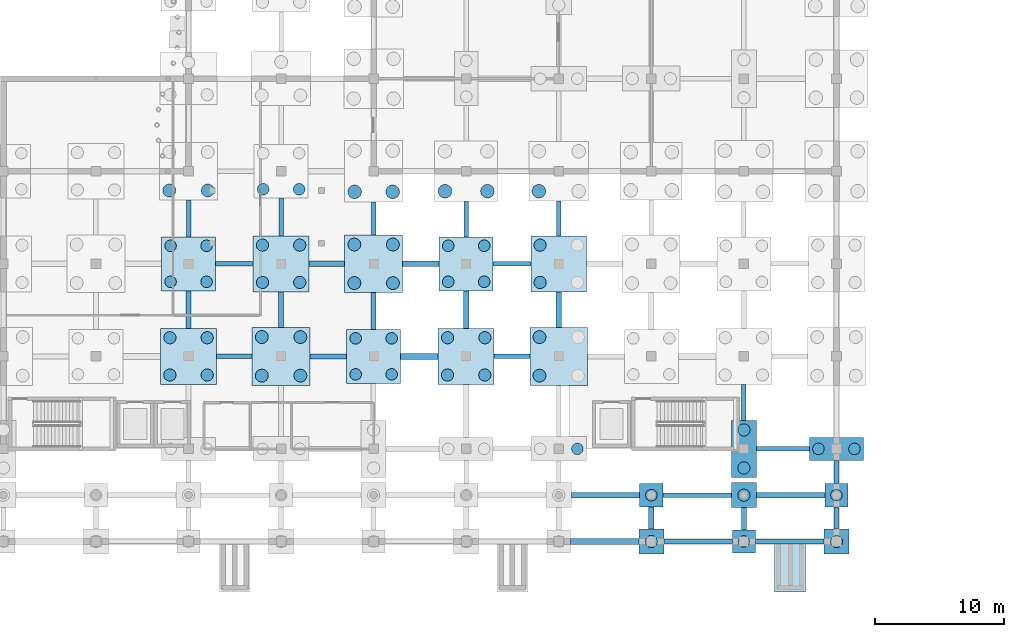
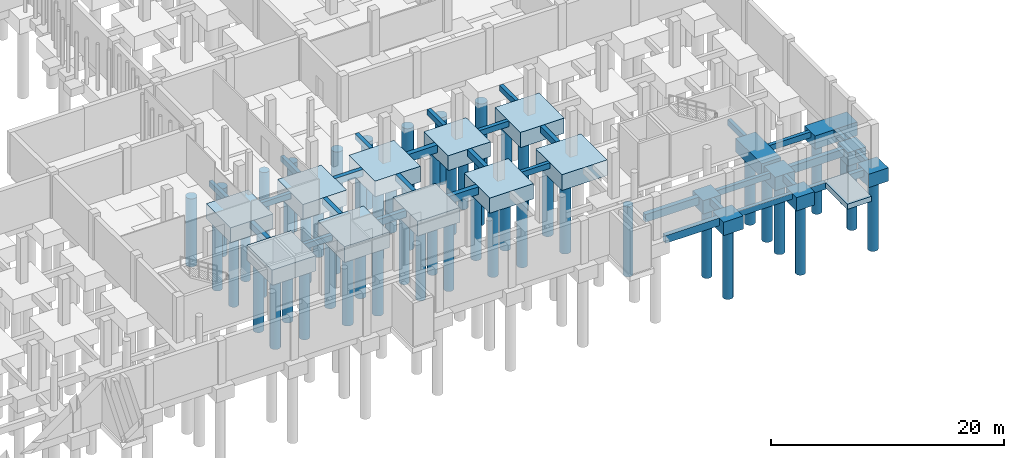
# One storey, part 6 of 35: 56 piles, 49 footings.
"""IFC4 building model written with IfcOpenShell, lengths in metres."""

from ifc_helpers import new_model, si_unit, direction, frame, origin, origin_2d, place, context, subcontext, project, spatial, rectangle, circle, extrude, material, material_profile, profile_set, type_object, element, save


model = new_model("IFC4")

# Units and contexts
model_context = context("Model", 3, precision=1e-05, world=origin(), true_north=direction((0.0, 1.0)))
body_context = subcontext(model_context, "Body", "Model", "MODEL_VIEW")
ifc_project = project(units=[si_unit("LENGTHUNIT", "METRE"), si_unit("AREAUNIT", "SQUARE_METRE"), si_unit("VOLUMEUNIT", "CUBIC_METRE"), si_unit("PLANEANGLEUNIT", "RADIAN"), si_unit("MASSUNIT", "GRAM", prefix="KILO"), si_unit("THERMODYNAMICTEMPERATUREUNIT", "KELVIN"), si_unit("POWERUNIT", "WATT")], contexts=[model_context])

# Site, building, storey
site_placement = place(None, origin())
site = spatial("IfcSite", under=ifc_project, at=site_placement, CompositionType="ELEMENT")
building_placement = place(site_placement, origin())
building = spatial("IfcBuilding", under=site, at=building_placement, Name="Kaldorven Railside Theatre", CompositionType="ELEMENT")
storey_placement = place(building_placement, frame((0.0, 0.0, -4.800048828125)))
storey = spatial("IfcBuildingStorey", under=building, at=storey_placement, Name="B1", CompositionType="ELEMENT", Elevation=-4.800048828125)

# Footings
ifc_material_1 = material(Name="Concrete C40/50", Category="concrete")
ifc_material_profile_1 = material_profile(ifc_material_1, rectangle(XDim=0.449951171875, YDim=0.800048828125, at=origin_2d()), Name="RC 450x800")
ifc_profile_set_1 = profile_set([ifc_material_profile_1], Name="Concrete C40/50")
footing_type_1 = type_object("IfcFootingType", Name="FTG-GB01", PredefinedType="FOOTING_BEAM", material=ifc_profile_set_1)
for number, where, z_axis, x_axis, name in (
    (1, (102.5, 12.0, -0.39990234375), (1.0, 0.0, 0.0), (0.0, 1.0, 0.0), "Foundation Tie Beam GB-027"),
    (2, (102.574951171875, 15.60009765625, -0.39990234375), (1.0, 0.0, 0.0), (0.0, 1.0, 0.0), "Foundation Tie Beam GB-054"),
    (3, (116.97509765625, 15.60009765625, -0.39990234375), (1.0, 0.0, 0.0), (0.0, 1.0, 0.0), "Foundation Tie Beam GB-057"),
):
    element("IfcFooting", number, at=place(storey_placement, frame(where, z_axis=z_axis, x_axis=x_axis)), inside=storey, type_object=footing_type_1, Name=name, PredefinedType="FOOTING_BEAM", context=body_context, shape_type="SweptSolid", body=[
        extrude(rectangle(XDim=0.449951171875, YDim=0.800048828125, at=origin_2d()), origin(), (0.0, 0.0, 1.0), 5.324951171875),
    ])
footing_1_placement = place(storey_placement, frame((89.300048828125, 26.39990234375, -0.39990234375), z_axis=(1.0, 0.0, 0.0), x_axis=(0.0, 1.0, 0.0)))
element("IfcFooting", 4, at=footing_1_placement, inside=storey, type_object=footing_type_1, Name="Foundation Tie Beam GB-105", PredefinedType="FOOTING_BEAM", context=body_context, shape_type="SweptSolid", body=[
    extrude(rectangle(XDim=0.449951171875, YDim=0.800048828125, at=origin_2d()), origin(), (0.0, 0.0, 1.0), 2.925048828125),
])
footing_2_placement = place(storey_placement, frame((89.449951171875, 33.60009765625, -0.39990234375), z_axis=(1.0, 0.0, 0.0), x_axis=(0.0, 1.0, 0.0)))
element("IfcFooting", 5, at=footing_2_placement, inside=storey, type_object=footing_type_1, Name="Foundation Tie Beam GB-138", PredefinedType="FOOTING_BEAM", context=body_context, shape_type="SweptSolid", body=[
    extrude(rectangle(XDim=0.449951171875, YDim=0.800048828125, at=origin_2d()), origin(), (0.0, 0.0, 1.0), 2.85009765625),
])
ifc_material_profile_2 = material_profile(ifc_material_1, rectangle(XDim=0.39990234375, YDim=0.699951171875, at=origin_2d()), Name="RC 400x700")
ifc_profile_set_2 = profile_set([ifc_material_profile_2], Name="Concrete C40/50")
footing_type_2 = type_object("IfcFootingType", Name="FTG-GB02", PredefinedType="FOOTING_BEAM", material=ifc_profile_set_2)
footing_3_placement = place(storey_placement, frame((108.800048828125, 12.97509765625, -0.349853515625), z_axis=(0.0, 1.0, 0.0), x_axis=(-1.0, 0.0, 0.0)))
element("IfcFooting", 6, at=footing_3_placement, inside=storey, type_object=footing_type_2, Name="Foundation Tie Beam GB-030", PredefinedType="FOOTING_BEAM", context=body_context, shape_type="SweptSolid", body=[
    extrude(rectangle(XDim=0.39990234375, YDim=0.699951171875, at=origin_2d()), origin(), (0.0, 0.0, 1.0), 1.724853515625),
])
footing_4_placement = place(storey_placement, frame((116.89990234375, 12.0, -0.349853515625), z_axis=(1.0, 0.0, 0.0), x_axis=(0.0, 1.0, 0.0)))
element("IfcFooting", 7, at=footing_4_placement, inside=storey, type_object=footing_type_2, Name="Foundation Tie Beam GB-031", PredefinedType="FOOTING_BEAM", context=body_context, shape_type="SweptSolid", body=[
    extrude(rectangle(XDim=0.39990234375, YDim=0.699951171875, at=origin_2d()), origin(), (0.0, 0.0, 1.0), 5.3251953125),
])
footing_5_placement = place(storey_placement, frame((116.0, 12.89990234375, -0.349853515625), z_axis=(0.0, 1.0, 0.0), x_axis=(-1.0, 0.0, 0.0)))
element("IfcFooting", 8, at=footing_5_placement, inside=storey, type_object=footing_type_2, Name="Foundation Tie Beam GB-032", PredefinedType="FOOTING_BEAM", context=body_context, shape_type="SweptSolid", body=[
    extrude(rectangle(XDim=0.39990234375, YDim=0.699951171875, at=origin_2d()), origin(), (0.0, 0.0, 1.0), 1.72509765625),
])
footing_6_placement = place(storey_placement, frame((123.199951171875, 16.5, -0.349853515625), z_axis=(0.0, 1.0, 0.0), x_axis=(-1.0, 0.0, 0.0)))
element("IfcFooting", 9, at=footing_6_placement, inside=storey, type_object=footing_type_2, Name="Foundation Tie Beam GB-058", PredefinedType="FOOTING_BEAM", context=body_context, shape_type="SweptSolid", body=[
    extrude(rectangle(XDim=0.39990234375, YDim=0.699951171875, at=origin_2d()), origin(), (0.0, 0.0, 1.0), 1.800048828125),
])
footing_7_placement = place(storey_placement, frame((72.800048828125, 28.574951171875, -0.349853515625), z_axis=(0.0, 1.0, 0.0), x_axis=(-1.0, 0.0, 0.0)))
element("IfcFooting", 10, at=footing_7_placement, inside=storey, type_object=footing_type_2, Name="Foundation Tie Beam GB-102", PredefinedType="FOOTING_BEAM", context=body_context, shape_type="SweptSolid", body=[
    extrude(rectangle(XDim=0.39990234375, YDim=0.699951171875, at=origin_2d()), origin(), (0.0, 0.0, 1.0), 2.925048828125),
])
footing_8_placement = place(storey_placement, frame((82.25, 26.39990234375, -0.349853515625), z_axis=(1.0, 0.0, 0.0), x_axis=(0.0, 1.0, 0.0)))
element("IfcFooting", 11, at=footing_8_placement, inside=storey, type_object=footing_type_2, Name="Foundation Tie Beam GB-103", PredefinedType="FOOTING_BEAM", context=body_context, shape_type="SweptSolid", body=[
    extrude(rectangle(XDim=0.39990234375, YDim=0.699951171875, at=origin_2d()), origin(), (0.0, 0.0, 1.0), 2.85009765625),
])
footing_9_placement = place(storey_placement, frame((80.0, 28.64990234375, -0.349853515625), z_axis=(0.0, 1.0, 0.0), x_axis=(-1.0, 0.0, 0.0)))
element("IfcFooting", 12, at=footing_9_placement, inside=storey, type_object=footing_type_2, Name="Foundation Tie Beam GB-104", PredefinedType="FOOTING_BEAM", context=body_context, shape_type="SweptSolid", body=[
    extrude(rectangle(XDim=0.39990234375, YDim=0.699951171875, at=origin_2d()), origin(), (0.0, 0.0, 1.0), 2.775146484375),
])
footing_10_placement = place(storey_placement, frame((87.199951171875, 28.5, -0.349853515625), z_axis=(0.0, 1.0, 0.0), x_axis=(-1.0, 0.0, 0.0)))
element("IfcFooting", 13, at=footing_10_placement, inside=storey, type_object=footing_type_2, Name="Foundation Tie Beam GB-106", PredefinedType="FOOTING_BEAM", context=body_context, shape_type="SweptSolid", body=[
    extrude(rectangle(XDim=0.39990234375, YDim=0.699951171875, at=origin_2d()), origin(), (0.0, 0.0, 1.0), 2.85009765625),
])
footing_11_placement = place(storey_placement, frame((94.39990234375, 28.574951171875, -0.349853515625), z_axis=(0.0, 1.0, 0.0), x_axis=(-1.0, 0.0, 0.0)))
element("IfcFooting", 14, at=footing_11_placement, inside=storey, type_object=footing_type_2, Name="Foundation Tie Beam GB-108", PredefinedType="FOOTING_BEAM", context=body_context, shape_type="SweptSolid", body=[
    extrude(rectangle(XDim=0.39990234375, YDim=0.699951171875, at=origin_2d()), origin(), (0.0, 0.0, 1.0), 2.925048828125),
])
footing_12_placement = place(storey_placement, frame((101.60009765625, 28.64990234375, -0.349853515625), z_axis=(0.0, 1.0, 0.0), x_axis=(-1.0, 0.0, 0.0)))
element("IfcFooting", 15, at=footing_12_placement, inside=storey, type_object=footing_type_2, Name="Foundation Tie Beam GB-110", PredefinedType="FOOTING_BEAM", context=body_context, shape_type="SweptSolid", body=[
    extrude(rectangle(XDim=0.39990234375, YDim=0.699951171875, at=origin_2d()), origin(), (0.0, 0.0, 1.0), 2.775146484375),
])
footing_13_placement = place(storey_placement, frame((82.175048828125, 33.60009765625, -0.349853515625), z_axis=(1.0, 0.0, 0.0), x_axis=(0.0, 1.0, 0.0)))
element("IfcFooting", 16, at=footing_13_placement, inside=storey, type_object=footing_type_2, Name="Foundation Tie Beam GB-136", PredefinedType="FOOTING_BEAM", context=body_context, shape_type="SweptSolid", body=[
    extrude(rectangle(XDim=0.39990234375, YDim=0.699951171875, at=origin_2d()), origin(), (0.0, 0.0, 1.0), 2.77490234375),
])
ifc_material_profile_3 = material_profile(ifc_material_1, rectangle(XDim=0.35009765625, YDim=0.60009765625, at=origin_2d()), Name="RC 350x600")
ifc_profile_set_3 = profile_set([ifc_material_profile_3], Name="Concrete C40/50")
footing_type_3 = type_object("IfcFootingType", Name="FTG-GB03", PredefinedType="FOOTING_BEAM", material=ifc_profile_set_3)
footing_14_placement = place(storey_placement, frame((109.77490234375, 12.0, -0.300048828125), z_axis=(1.0, 0.0, 0.0), x_axis=(0.0, 1.0, 0.0)))
element("IfcFooting", 17, at=footing_14_placement, inside=storey, type_object=footing_type_3, Name="Foundation Tie Beam GB-029", PredefinedType="FOOTING_BEAM", context=body_context, shape_type="SweptSolid", body=[
    extrude(rectangle(XDim=0.35009765625, YDim=0.60009765625, at=origin_2d()), origin(), (0.0, 0.0, 1.0), 5.3251953125),
])
footing_15_placement = place(storey_placement, frame((123.199951171875, 12.97509765625, -0.300048828125), z_axis=(0.0, 1.0, 0.0), x_axis=(-1.0, 0.0, 0.0)))
element("IfcFooting", 18, at=footing_15_placement, inside=storey, type_object=footing_type_3, Name="Foundation Tie Beam GB-033", PredefinedType="FOOTING_BEAM", context=body_context, shape_type="SweptSolid", body=[
    extrude(rectangle(XDim=0.35009765625, YDim=0.60009765625, at=origin_2d()), origin(), (0.0, 0.0, 1.0), 1.724853515625),
])
footing_16_placement = place(storey_placement, frame((109.699951171875, 15.60009765625, -0.300048828125), z_axis=(1.0, 0.0, 0.0), x_axis=(0.0, 1.0, 0.0)))
element("IfcFooting", 19, at=footing_16_placement, inside=storey, type_object=footing_type_3, Name="Foundation Tie Beam GB-056", PredefinedType="FOOTING_BEAM", context=body_context, shape_type="SweptSolid", body=[
    extrude(rectangle(XDim=0.35009765625, YDim=0.60009765625, at=origin_2d()), origin(), (0.0, 0.0, 1.0), 5.324951171875),
])
footing_17_placement = place(storey_placement, frame((116.97509765625, 19.199951171875, -0.300048828125), z_axis=(1.0, 0.0, 0.0), x_axis=(0.0, 1.0, 0.0)))
element("IfcFooting", 20, at=footing_17_placement, inside=storey, type_object=footing_type_3, Name="Foundation Tie Beam GB-080", PredefinedType="FOOTING_BEAM", context=body_context, shape_type="SweptSolid", body=[
    extrude(rectangle(XDim=0.35009765625, YDim=0.60009765625, at=origin_2d()), origin(), (0.0, 0.0, 1.0), 4.125),
])
footing_18_placement = place(storey_placement, frame((116.0, 21.425048828125, -0.300048828125), z_axis=(0.0, 1.0, 0.0), x_axis=(-1.0, 0.0, 0.0)))
element("IfcFooting", 21, at=footing_18_placement, inside=storey, type_object=footing_type_3, Name="Foundation Tie Beam GB-081", PredefinedType="FOOTING_BEAM", context=body_context, shape_type="SweptSolid", body=[
    extrude(rectangle(XDim=0.35009765625, YDim=0.60009765625, at=origin_2d()), origin(), (0.0, 0.0, 1.0), 2.800048828125),
])
footing_19_placement = place(storey_placement, frame((74.97509765625, 26.39990234375, -0.300048828125), z_axis=(1.0, 0.0, 0.0), x_axis=(0.0, 1.0, 0.0)))
element("IfcFooting", 22, at=footing_19_placement, inside=storey, type_object=footing_type_3, Name="Foundation Tie Beam GB-101", PredefinedType="FOOTING_BEAM", context=body_context, shape_type="SweptSolid", body=[
    extrude(rectangle(XDim=0.35009765625, YDim=0.60009765625, at=origin_2d()), origin(), (0.0, 0.0, 1.0), 2.77490234375),
])
footing_20_placement = place(storey_placement, frame((96.574951171875, 26.39990234375, -0.300048828125), z_axis=(1.0, 0.0, 0.0), x_axis=(0.0, 1.0, 0.0)))
element("IfcFooting", 23, at=footing_20_placement, inside=storey, type_object=footing_type_3, Name="Foundation Tie Beam GB-107", PredefinedType="FOOTING_BEAM", context=body_context, shape_type="SweptSolid", body=[
    extrude(rectangle(XDim=0.35009765625, YDim=0.60009765625, at=origin_2d()), origin(), (0.0, 0.0, 1.0), 2.775146484375),
])
footing_21_placement = place(storey_placement, frame((74.89990234375, 33.60009765625, -0.300048828125), z_axis=(1.0, 0.0, 0.0), x_axis=(0.0, 1.0, 0.0)))
element("IfcFooting", 24, at=footing_21_placement, inside=storey, type_object=footing_type_3, Name="Foundation Tie Beam GB-134", PredefinedType="FOOTING_BEAM", context=body_context, shape_type="SweptSolid", body=[
    extrude(rectangle(XDim=0.35009765625, YDim=0.60009765625, at=origin_2d()), origin(), (0.0, 0.0, 1.0), 2.925048828125),
])
footing_22_placement = place(storey_placement, frame((72.800048828125, 35.699951171875, -0.300048828125), z_axis=(0.0, 1.0, 0.0), x_axis=(-1.0, 0.0, 0.0)))
element("IfcFooting", 25, at=footing_22_placement, inside=storey, type_object=footing_type_3, Name="Foundation Tie Beam GB-135", PredefinedType="FOOTING_BEAM", context=body_context, shape_type="SweptSolid", body=[
    extrude(rectangle(XDim=0.35009765625, YDim=0.60009765625, at=origin_2d()), origin(), (0.0, 0.0, 1.0), 2.85009765625),
])
footing_23_placement = place(storey_placement, frame((80.0, 35.77490234375, -0.300048828125), z_axis=(0.0, 1.0, 0.0), x_axis=(-1.0, 0.0, 0.0)))
element("IfcFooting", 26, at=footing_23_placement, inside=storey, type_object=footing_type_3, Name="Foundation Tie Beam GB-137", PredefinedType="FOOTING_BEAM", context=body_context, shape_type="SweptSolid", body=[
    extrude(rectangle(XDim=0.35009765625, YDim=0.60009765625, at=origin_2d()), origin(), (0.0, 0.0, 1.0), 2.925048828125),
])
footing_24_placement = place(storey_placement, frame((87.199951171875, 35.85009765625, -0.300048828125), z_axis=(0.0, 1.0, 0.0), x_axis=(-1.0, 0.0, 0.0)))
element("IfcFooting", 27, at=footing_24_placement, inside=storey, type_object=footing_type_3, Name="Foundation Tie Beam GB-139", PredefinedType="FOOTING_BEAM", context=body_context, shape_type="SweptSolid", body=[
    extrude(rectangle(XDim=0.35009765625, YDim=0.60009765625, at=origin_2d()), origin(), (0.0, 0.0, 1.0), 2.5498046875),
])
footing_25_placement = place(storey_placement, frame((96.5, 33.60009765625, -0.300048828125), z_axis=(1.0, 0.0, 0.0), x_axis=(0.0, 1.0, 0.0)))
element("IfcFooting", 28, at=footing_25_placement, inside=storey, type_object=footing_type_3, Name="Foundation Tie Beam GB-140", PredefinedType="FOOTING_BEAM", context=body_context, shape_type="SweptSolid", body=[
    extrude(rectangle(XDim=0.35009765625, YDim=0.60009765625, at=origin_2d()), origin(), (0.0, 0.0, 1.0), 2.925048828125),
])
footing_26_placement = place(storey_placement, frame((94.39990234375, 35.699951171875, -0.300048828125), z_axis=(0.0, 1.0, 0.0), x_axis=(-1.0, 0.0, 0.0)))
element("IfcFooting", 29, at=footing_26_placement, inside=storey, type_object=footing_type_3, Name="Foundation Tie Beam GB-141", PredefinedType="FOOTING_BEAM", context=body_context, shape_type="SweptSolid", body=[
    extrude(rectangle(XDim=0.35009765625, YDim=0.60009765625, at=origin_2d()), origin(), (0.0, 0.0, 1.0), 2.75),
])
footing_27_placement = place(storey_placement, frame((101.60009765625, 35.77490234375, -0.300048828125), z_axis=(0.0, 1.0, 0.0), x_axis=(-1.0, 0.0, 0.0)))
element("IfcFooting", 30, at=footing_27_placement, inside=storey, type_object=footing_type_3, Name="Foundation Tie Beam GB-143", PredefinedType="FOOTING_BEAM", context=body_context, shape_type="SweptSolid", body=[
    extrude(rectangle(XDim=0.35009765625, YDim=0.60009765625, at=origin_2d()), origin(), (0.0, 0.0, 1.0), 2.7001953125),
])
footing_type_4 = type_object("IfcFootingType", Name="FTG-PC01", PredefinedType="PILE_CAP", material=ifc_material_1)
for number, where, z_axis, x_axis, name in (
    (31, (116.0, 12.0, -1.39990234375), (0.0, 0.0, 1.0), (1.0, 0.0, 0.0), "Reinforced Concrete Pile Cap FC-016"),
    (32, (108.800048828125, 15.60009765625, -1.39990234375), (0.0, 0.0, 1.0), (1.0, 0.0, 0.0), "Reinforced Concrete Pile Cap FC-032"),
    (33, (123.199951171875, 15.60009765625, -1.39990234375), (0.0, 0.0, 1.0), (1.0, 0.0, 0.0), "Reinforced Concrete Pile Cap FC-034"),
):
    element("IfcFooting", number, at=place(storey_placement, frame(where, z_axis=z_axis, x_axis=x_axis)), inside=storey, type_object=footing_type_4, Name=name, PredefinedType="PILE_CAP", context=body_context, shape_type="SweptSolid", body=[
        extrude(rectangle(XDim=1.800048828125, YDim=1.800048828125, at=origin_2d()), origin(), (0.0, 0.0, 1.0), 1.39990234375),
    ])
footing_type_5 = type_object("IfcFootingType", Name="FTG-PC02", PredefinedType="PILE_CAP", material=ifc_material_1)
for number, where, z_axis, x_axis, name in (
    (34, (108.800048828125, 12.0, -1.39990234375), (0.0, 0.0, 1.0), (1.0, 0.0, 0.0), "Reinforced Concrete Pile Cap FC-015"),
    (35, (123.199951171875, 12.0, -1.39990234375), (0.0, 0.0, 1.0), (1.0, 0.0, 0.0), "Reinforced Concrete Pile Cap FC-017"),
    (36, (116.0, 15.60009765625, -1.39990234375), (0.0, 0.0, 1.0), (1.0, 0.0, 0.0), "Reinforced Concrete Pile Cap FC-033"),
):
    element("IfcFooting", number, at=place(storey_placement, frame(where, z_axis=z_axis, x_axis=x_axis)), inside=storey, type_object=footing_type_5, Name=name, PredefinedType="PILE_CAP", context=body_context, shape_type="SweptSolid", body=[
        extrude(rectangle(XDim=1.949951171875, YDim=1.949951171875, at=origin_2d()), origin(), (0.0, 0.0, 1.0), 1.39990234375),
    ])
footing_type_6 = type_object("IfcFootingType", Name="FTG-PC03", PredefinedType="PILE_CAP", material=ifc_material_1)
footing_28_placement = place(storey_placement, frame((123.199951171875, 19.199951171875, -1.39990234375), z_axis=(0.0, 0.0, 1.0), x_axis=(1.0, 0.0, 0.0)))
element("IfcFooting", 37, at=footing_28_placement, inside=storey, type_object=footing_type_6, Name="Reinforced Concrete Pile Cap FC-048", PredefinedType="PILE_CAP", context=body_context, shape_type="SweptSolid", body=[
    extrude(rectangle(XDim=4.199951171875, YDim=1.800048828125, at=origin_2d()), origin(), (0.0, 0.0, 1.0), 1.39990234375),
])
footing_type_7 = type_object("IfcFootingType", Name="FTG-PC07", PredefinedType="PILE_CAP", material=ifc_material_1)
footing_29_placement = place(storey_placement, frame((116.0, 19.199951171875, -1.44970703125), z_axis=(0.0, 0.0, 1.0), x_axis=(1.0, 0.0, 0.0)))
element("IfcFooting", 38, at=footing_29_placement, inside=storey, type_object=footing_type_7, Name="Reinforced Concrete Pile Cap FC-047", PredefinedType="PILE_CAP", context=body_context, shape_type="SweptSolid", body=[
    extrude(rectangle(XDim=1.949951171875, YDim=4.449951171875, at=origin_2d()), origin(), (0.0, 0.0, 1.0), 1.449951171875),
])
footing_type_8 = type_object("IfcFootingType", Name="FTG-PC12", PredefinedType="PILE_CAP", material=ifc_material_1)
for number, where, z_axis, x_axis, name in (
    (39, (87.199951171875, 26.39990234375, -1.5498046875), (0.0, 0.0, 1.0), (1.0, 0.0, 0.0), "Reinforced Concrete Pile Cap FC-060"),
    (40, (72.800048828125, 33.60009765625, -1.5498046875), (0.0, 0.0, 1.0), (1.0, 0.0, 0.0), "Reinforced Concrete Pile Cap FC-075"),
    (41, (94.39990234375, 33.60009765625, -1.5498046875), (0.0, 0.0, 1.0), (1.0, 0.0, 0.0), "Reinforced Concrete Pile Cap FC-078"),
):
    element("IfcFooting", number, at=place(storey_placement, frame(where, z_axis=z_axis, x_axis=x_axis)), inside=storey, type_object=footing_type_8, Name=name, PredefinedType="PILE_CAP", context=body_context, shape_type="SweptSolid", body=[
        extrude(rectangle(XDim=4.199951171875, YDim=4.199951171875, at=origin_2d()), origin(), (0.0, 0.0, 1.0), 1.550048828125),
    ])
footing_type_9 = type_object("IfcFootingType", Name="FTG-PC13", PredefinedType="PILE_CAP", material=ifc_material_1)
for number, where, z_axis, x_axis, name in (
    (42, (72.800048828125, 26.39990234375, -1.60009765625), (0.0, 0.0, 1.0), (1.0, 0.0, 0.0), "Reinforced Concrete Pile Cap FC-058"),
    (43, (94.39990234375, 26.39990234375, -1.60009765625), (0.0, 0.0, 1.0), (1.0, 0.0, 0.0), "Reinforced Concrete Pile Cap FC-061"),
    (44, (80.0, 33.60009765625, -1.60009765625), (0.0, 0.0, 1.0), (1.0, 0.0, 0.0), "Reinforced Concrete Pile Cap FC-076"),
    (45, (101.60009765625, 33.60009765625, -1.60009765625), (0.0, 0.0, 1.0), (1.0, 0.0, 0.0), "Reinforced Concrete Pile Cap FC-079"),
):
    element("IfcFooting", number, at=place(storey_placement, frame(where, z_axis=z_axis, x_axis=x_axis)), inside=storey, type_object=footing_type_9, Name=name, PredefinedType="PILE_CAP", context=body_context, shape_type="SweptSolid", body=[
        extrude(rectangle(XDim=4.35009765625, YDim=4.35009765625, at=origin_2d()), origin(), (0.0, 0.0, 1.0), 1.60009765625),
    ])
footing_type_10 = type_object("IfcFootingType", Name="FTG-PC14", PredefinedType="PILE_CAP", material=ifc_material_1)
for number, where, z_axis, x_axis, name in (
    (46, (80.0, 26.39990234375, -1.64990234375), (0.0, 0.0, 1.0), (1.0, 0.0, 0.0), "Reinforced Concrete Pile Cap FC-059"),
    (47, (101.60009765625, 26.39990234375, -1.64990234375), (0.0, 0.0, 1.0), (1.0, 0.0, 0.0), "Reinforced Concrete Pile Cap FC-062"),
    (48, (87.199951171875, 33.60009765625, -1.64990234375), (0.0, 0.0, 1.0), (1.0, 0.0, 0.0), "Reinforced Concrete Pile Cap FC-077"),
):
    element("IfcFooting", number, at=place(storey_placement, frame(where, z_axis=z_axis, x_axis=x_axis)), inside=storey, type_object=footing_type_10, Name=name, PredefinedType="PILE_CAP", context=body_context, shape_type="SweptSolid", body=[
        extrude(rectangle(XDim=4.5, YDim=4.5, at=origin_2d()), origin(), (0.0, 0.0, 1.0), 1.64990234375),
    ])
footing_type_11 = type_object("IfcFootingType", Name="FTG-SF01", PredefinedType="PAD_FOOTING", material=ifc_material_1)
footing_30_placement = place(storey_placement, frame((119.60009765625, 10.110107421875, -0.5498046875), z_axis=(0.0, 0.0, 1.0), x_axis=(1.0, 0.0, 0.0)))
element("IfcFooting", 49, at=footing_30_placement, inside=storey, type_object=footing_type_11, Name="Arrival Ramp Foundation Pad FRM-05", PredefinedType="PAD_FOOTING", context=body_context, shape_type="SweptSolid", body=[
    extrude(rectangle(XDim=2.39990234375, YDim=4.10009765625, at=origin_2d()), origin(), (0.0, 0.0, 1.0), 0.550048828125),
])

# Piles
ifc_material_2 = material(Name="Concrete C35/45", Category="concrete")
ifc_material_profile_4 = material_profile(ifc_material_2, circle(Radius=0.5, at=origin_2d()), Name="BP D1000")
ifc_profile_set_4 = profile_set([ifc_material_profile_4], Name="Concrete C35/45")
pile_type_1 = type_object("IfcPileType", Name="PIL-D1000", PredefinedType="BORED", material=ifc_profile_set_4)
for number, where, z_axis, x_axis, name in (
    (50, (78.5, 24.89990234375, -1.550048828125), (0.0, 0.0, -1.0), (1.0, 0.0, 0.0), "Bored Bedrock Socket Pile BP-080-026-1"),
    (51, (81.5, 24.89990234375, -1.550048828125), (0.0, 0.0, -1.0), (1.0, 0.0, 0.0), "Bored Bedrock Socket Pile BP-080-026-2"),
    (52, (78.5, 27.89990234375, -1.550048828125), (0.0, 0.0, -1.0), (1.0, 0.0, 0.0), "Bored Bedrock Socket Pile BP-080-026-3"),
    (53, (81.5, 27.89990234375, -1.550048828125), (0.0, 0.0, -1.0), (1.0, 0.0, 0.0), "Bored Bedrock Socket Pile BP-080-026-4"),
    (54, (100.10009765625, 24.89990234375, -1.550048828125), (0.0, 0.0, -1.0), (1.0, 0.0, 0.0), "Bored Bedrock Socket Pile BP-101-026-1"),
    (55, (100.10009765625, 27.89990234375, -1.550048828125), (0.0, 0.0, -1.0), (1.0, 0.0, 0.0), "Bored Bedrock Socket Pile BP-101-026-3"),
    (56, (85.699951171875, 32.10009765625, -1.550048828125), (0.0, 0.0, -1.0), (1.0, 0.0, 0.0), "Bored Bedrock Socket Pile BP-087-033-1"),
    (57, (88.699951171875, 32.10009765625, -1.550048828125), (0.0, 0.0, -1.0), (1.0, 0.0, 0.0), "Bored Bedrock Socket Pile BP-087-033-2"),
    (58, (85.699951171875, 35.10009765625, -1.550048828125), (0.0, 0.0, -1.0), (1.0, 0.0, 0.0), "Bored Bedrock Socket Pile BP-087-033-3"),
    (59, (88.699951171875, 35.10009765625, -1.550048828125), (0.0, 0.0, -1.0), (1.0, 0.0, 0.0), "Bored Bedrock Socket Pile BP-087-033-4"),
    (60, (71.300048828125, 39.300048828125, -1.550048828125), (0.0, 0.0, -1.0), (1.0, 0.0, 0.0), "Bored Bedrock Socket Pile BP-072-040-1"),
    (61, (74.300048828125, 39.300048828125, -1.550048828125), (0.0, 0.0, -1.0), (1.0, 0.0, 0.0), "Bored Bedrock Socket Pile BP-072-040-2"),
):
    element("IfcPile", number, at=place(storey_placement, frame(where, z_axis=z_axis, x_axis=x_axis)), inside=storey, type_object=pile_type_1, Name=name, PredefinedType="BORED", context=body_context, shape_type="SweptSolid", body=[
        extrude(circle(Radius=0.5, at=origin_2d()), origin(), (0.0, 0.0, 1.0), 7.14990234375),
    ])
ifc_material_profile_5 = material_profile(ifc_material_2, circle(Radius=0.52490234375, at=origin_2d()), Name="BP D1050")
ifc_profile_set_5 = profile_set([ifc_material_profile_5], Name="Concrete C35/45")
pile_type_2 = type_object("IfcPileType", Name="PIL-D1050", PredefinedType="BORED", material=ifc_profile_set_5)
for number, where, z_axis, x_axis, name in (
    (62, (85.719970703125, 39.199951171875, -1.599853515625), (0.0, 0.0, -1.0), (1.0, 0.0, 0.0), "Bored Bedrock Socket Pile BP-087-040-1"),
    (63, (88.679931640625, 39.199951171875, -1.599853515625), (0.0, 0.0, -1.0), (1.0, 0.0, 0.0), "Bored Bedrock Socket Pile BP-087-040-2"),
):
    element("IfcPile", number, at=place(storey_placement, frame(where, z_axis=z_axis, x_axis=x_axis)), inside=storey, type_object=pile_type_2, Name=name, PredefinedType="BORED", context=body_context, shape_type="SweptSolid", body=[
        extrude(circle(Radius=0.52490234375, at=origin_2d()), origin(), (0.0, 0.0, 1.0), 7.10009765625),
    ])
for number, where, z_axis, x_axis, name in (
    (64, (92.75, 39.25, -1.64990234375), (0.0, 0.0, -1.0), (1.0, 0.0, 0.0), "Bored Bedrock Socket Pile BP-094-040-1"),
    (65, (96.050048828125, 39.25, -1.64990234375), (0.0, 0.0, -1.0), (1.0, 0.0, 0.0), "Bored Bedrock Socket Pile BP-094-040-2"),
):
    element("IfcPile", number, at=place(storey_placement, frame(where, z_axis=z_axis, x_axis=x_axis)), inside=storey, type_object=pile_type_2, Name=name, PredefinedType="BORED", context=body_context, shape_type="SweptSolid", body=[
        extrude(circle(Radius=0.52490234375, at=origin_2d()), origin(), (0.0, 0.0, 1.0), 7.050048828125),
    ])
pile_1_placement = place(storey_placement, frame((100.050048828125, 39.25, -1.599853515625), z_axis=(0.0, 0.0, -1.0), x_axis=(1.0, 0.0, 0.0)))
element("IfcPile", 66, at=pile_1_placement, inside=storey, type_object=pile_type_2, Name="Bored Bedrock Socket Pile BP-101-040-1", PredefinedType="BORED", context=body_context, shape_type="SweptSolid", body=[
    extrude(circle(Radius=0.52490234375, at=origin_2d()), origin(), (0.0, 0.0, 1.0), 7.10009765625),
])
ifc_material_profile_6 = material_profile(ifc_material_2, circle(Radius=0.449951171875, at=origin_2d()), Name="BP D900")
ifc_profile_set_6 = profile_set([ifc_material_profile_6], Name="Concrete C35/45")
pile_type_3 = type_object("IfcPileType", Name="PIL-D900", PredefinedType="BORED", material=ifc_profile_set_6)
for number, where, z_axis, x_axis, name in (
    (67, (116.0, 12.0, -1.300048828125), (0.0, 0.0, -1.0), (1.0, 0.0, 0.0), "Bored Bedrock Socket Pile BP-116-012-1"),
    (68, (108.800048828125, 15.60009765625, -1.300048828125), (0.0, 0.0, -1.0), (1.0, 0.0, 0.0), "Bored Bedrock Socket Pile BP-108-015-1"),
    (69, (123.199951171875, 15.60009765625, -1.300048828125), (0.0, 0.0, -1.0), (1.0, 0.0, 0.0), "Bored Bedrock Socket Pile BP-123-015-1"),
):
    element("IfcPile", number, at=place(storey_placement, frame(where, z_axis=z_axis, x_axis=x_axis)), inside=storey, type_object=pile_type_3, Name=name, PredefinedType="BORED", context=body_context, shape_type="SweptSolid", body=[
        extrude(circle(Radius=0.449951171875, at=origin_2d()), origin(), (0.0, 0.0, 1.0), 7.39990234375),
    ])
pile_2_placement = place(storey_placement, frame((103.050048828125, 19.199951171875, -1.349853515625), z_axis=(0.0, 0.0, -1.0), x_axis=(1.0, 0.0, 0.0)))
element("IfcPile", 70, at=pile_2_placement, inside=storey, type_object=pile_type_3, Name="Bored Bedrock Socket Pile BP-101-019-2", PredefinedType="BORED", context=body_context, shape_type="SweptSolid", body=[
    extrude(circle(Radius=0.449951171875, at=origin_2d()), origin(), (0.0, 0.0, 1.0), 7.35009765625),
])
for number, where, z_axis, x_axis, name in (
    (71, (121.800048828125, 19.199951171875, -1.300048828125), (0.0, 0.0, -1.0), (1.0, 0.0, 0.0), "Bored Bedrock Socket Pile BP-123-019-1"),
    (72, (124.60009765625, 19.199951171875, -1.300048828125), (0.0, 0.0, -1.0), (1.0, 0.0, 0.0), "Bored Bedrock Socket Pile BP-123-019-2"),
):
    element("IfcPile", number, at=place(storey_placement, frame(where, z_axis=z_axis, x_axis=x_axis)), inside=storey, type_object=pile_type_3, Name=name, PredefinedType="BORED", context=body_context, shape_type="SweptSolid", body=[
        extrude(circle(Radius=0.449951171875, at=origin_2d()), origin(), (0.0, 0.0, 1.0), 7.39990234375),
    ])
for number, where, z_axis, x_axis, name in (
    (73, (85.800048828125, 25.0, -1.449951171875), (0.0, 0.0, -1.0), (1.0, 0.0, 0.0), "Bored Bedrock Socket Pile BP-087-026-1"),
    (74, (88.60009765625, 25.0, -1.449951171875), (0.0, 0.0, -1.0), (1.0, 0.0, 0.0), "Bored Bedrock Socket Pile BP-087-026-2"),
    (75, (85.800048828125, 27.800048828125, -1.449951171875), (0.0, 0.0, -1.0), (1.0, 0.0, 0.0), "Bored Bedrock Socket Pile BP-087-026-3"),
    (76, (88.60009765625, 27.800048828125, -1.449951171875), (0.0, 0.0, -1.0), (1.0, 0.0, 0.0), "Bored Bedrock Socket Pile BP-087-026-4"),
    (77, (71.39990234375, 32.199951171875, -1.449951171875), (0.0, 0.0, -1.0), (1.0, 0.0, 0.0), "Bored Bedrock Socket Pile BP-072-033-1"),
    (78, (74.199951171875, 32.199951171875, -1.449951171875), (0.0, 0.0, -1.0), (1.0, 0.0, 0.0), "Bored Bedrock Socket Pile BP-072-033-2"),
    (79, (71.39990234375, 35.0, -1.449951171875), (0.0, 0.0, -1.0), (1.0, 0.0, 0.0), "Bored Bedrock Socket Pile BP-072-033-3"),
    (80, (74.199951171875, 35.0, -1.449951171875), (0.0, 0.0, -1.0), (1.0, 0.0, 0.0), "Bored Bedrock Socket Pile BP-072-033-4"),
    (81, (93.0, 32.199951171875, -1.449951171875), (0.0, 0.0, -1.0), (1.0, 0.0, 0.0), "Bored Bedrock Socket Pile BP-094-033-1"),
    (82, (95.800048828125, 32.199951171875, -1.449951171875), (0.0, 0.0, -1.0), (1.0, 0.0, 0.0), "Bored Bedrock Socket Pile BP-094-033-2"),
    (83, (93.0, 35.0, -1.449951171875), (0.0, 0.0, -1.0), (1.0, 0.0, 0.0), "Bored Bedrock Socket Pile BP-094-033-3"),
    (84, (95.800048828125, 35.0, -1.449951171875), (0.0, 0.0, -1.0), (1.0, 0.0, 0.0), "Bored Bedrock Socket Pile BP-094-033-4"),
    (85, (78.60009765625, 39.39990234375, -1.449951171875), (0.0, 0.0, -1.0), (1.0, 0.0, 0.0), "Bored Bedrock Socket Pile BP-080-040-1"),
    (86, (81.39990234375, 39.39990234375, -1.449951171875), (0.0, 0.0, -1.0), (1.0, 0.0, 0.0), "Bored Bedrock Socket Pile BP-080-040-2"),
):
    element("IfcPile", number, at=place(storey_placement, frame(where, z_axis=z_axis, x_axis=x_axis)), inside=storey, type_object=pile_type_3, Name=name, PredefinedType="BORED", context=body_context, shape_type="SweptSolid", body=[
        extrude(circle(Radius=0.449951171875, at=origin_2d()), origin(), (0.0, 0.0, 1.0), 7.25),
    ])
ifc_material_profile_7 = material_profile(ifc_material_2, circle(Radius=0.47509765625, at=origin_2d()), Name="BP D950")
ifc_profile_set_7 = profile_set([ifc_material_profile_7], Name="Concrete C35/45")
pile_type_4 = type_object("IfcPileType", Name="PIL-D950", PredefinedType="BORED", material=ifc_profile_set_7)
for number, where, z_axis, x_axis, name in (
    (87, (108.800048828125, 12.0, -1.300048828125), (0.0, 0.0, -1.0), (1.0, 0.0, 0.0), "Bored Bedrock Socket Pile BP-108-012-1"),
    (88, (123.199951171875, 12.0, -1.300048828125), (0.0, 0.0, -1.0), (1.0, 0.0, 0.0), "Bored Bedrock Socket Pile BP-123-012-1"),
    (89, (116.0, 15.60009765625, -1.300048828125), (0.0, 0.0, -1.0), (1.0, 0.0, 0.0), "Bored Bedrock Socket Pile BP-116-015-1"),
):
    element("IfcPile", number, at=place(storey_placement, frame(where, z_axis=z_axis, x_axis=x_axis)), inside=storey, type_object=pile_type_4, Name=name, PredefinedType="BORED", context=body_context, shape_type="SweptSolid", body=[
        extrude(circle(Radius=0.47509765625, at=origin_2d()), origin(), (0.0, 0.0, 1.0), 7.39990234375),
    ])
for number, where, z_axis, x_axis, name in (
    (90, (116.0, 17.719970703125, -1.349853515625), (0.0, 0.0, -1.0), (1.0, 0.0, 0.0), "Bored Bedrock Socket Pile BP-116-019-1"),
    (91, (116.0, 20.679931640625, -1.349853515625), (0.0, 0.0, -1.0), (1.0, 0.0, 0.0), "Bored Bedrock Socket Pile BP-116-019-2"),
):
    element("IfcPile", number, at=place(storey_placement, frame(where, z_axis=z_axis, x_axis=x_axis)), inside=storey, type_object=pile_type_4, Name=name, PredefinedType="BORED", context=body_context, shape_type="SweptSolid", body=[
        extrude(circle(Radius=0.47509765625, at=origin_2d()), origin(), (0.0, 0.0, 1.0), 7.35009765625),
    ])
for number, where, z_axis, x_axis, name in (
    (92, (71.35009765625, 24.949951171875, -1.5), (0.0, 0.0, -1.0), (1.0, 0.0, 0.0), "Bored Bedrock Socket Pile BP-072-026-1"),
    (93, (74.25, 24.949951171875, -1.5), (0.0, 0.0, -1.0), (1.0, 0.0, 0.0), "Bored Bedrock Socket Pile BP-072-026-2"),
    (94, (71.35009765625, 27.85009765625, -1.5), (0.0, 0.0, -1.0), (1.0, 0.0, 0.0), "Bored Bedrock Socket Pile BP-072-026-3"),
    (95, (74.25, 27.85009765625, -1.5), (0.0, 0.0, -1.0), (1.0, 0.0, 0.0), "Bored Bedrock Socket Pile BP-072-026-4"),
    (96, (92.949951171875, 24.949951171875, -1.5), (0.0, 0.0, -1.0), (1.0, 0.0, 0.0), "Bored Bedrock Socket Pile BP-094-026-1"),
    (97, (95.85009765625, 24.949951171875, -1.5), (0.0, 0.0, -1.0), (1.0, 0.0, 0.0), "Bored Bedrock Socket Pile BP-094-026-2"),
    (98, (92.949951171875, 27.85009765625, -1.5), (0.0, 0.0, -1.0), (1.0, 0.0, 0.0), "Bored Bedrock Socket Pile BP-094-026-3"),
    (99, (95.85009765625, 27.85009765625, -1.5), (0.0, 0.0, -1.0), (1.0, 0.0, 0.0), "Bored Bedrock Socket Pile BP-094-026-4"),
    (100, (78.550048828125, 32.14990234375, -1.5), (0.0, 0.0, -1.0), (1.0, 0.0, 0.0), "Bored Bedrock Socket Pile BP-080-033-1"),
    (101, (81.449951171875, 32.14990234375, -1.5), (0.0, 0.0, -1.0), (1.0, 0.0, 0.0), "Bored Bedrock Socket Pile BP-080-033-2"),
    (102, (78.550048828125, 35.050048828125, -1.5), (0.0, 0.0, -1.0), (1.0, 0.0, 0.0), "Bored Bedrock Socket Pile BP-080-033-3"),
    (103, (81.449951171875, 35.050048828125, -1.5), (0.0, 0.0, -1.0), (1.0, 0.0, 0.0), "Bored Bedrock Socket Pile BP-080-033-4"),
    (104, (100.14990234375, 32.14990234375, -1.5), (0.0, 0.0, -1.0), (1.0, 0.0, 0.0), "Bored Bedrock Socket Pile BP-101-033-1"),
    (105, (100.14990234375, 35.050048828125, -1.5), (0.0, 0.0, -1.0), (1.0, 0.0, 0.0), "Bored Bedrock Socket Pile BP-101-033-3"),
):
    element("IfcPile", number, at=place(storey_placement, frame(where, z_axis=z_axis, x_axis=x_axis)), inside=storey, type_object=pile_type_4, Name=name, PredefinedType="BORED", context=body_context, shape_type="SweptSolid", body=[
        extrude(circle(Radius=0.47509765625, at=origin_2d()), origin(), (0.0, 0.0, 1.0), 7.199951171875),
    ])

save(model, "model.ifc")
